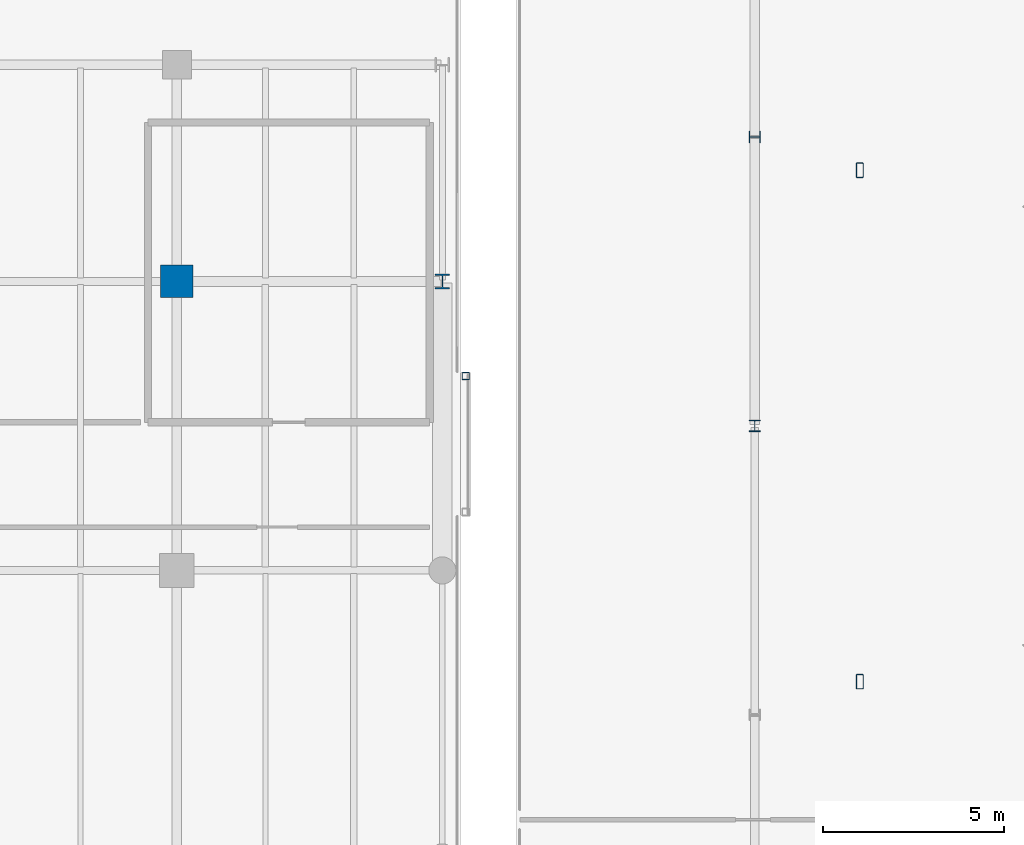
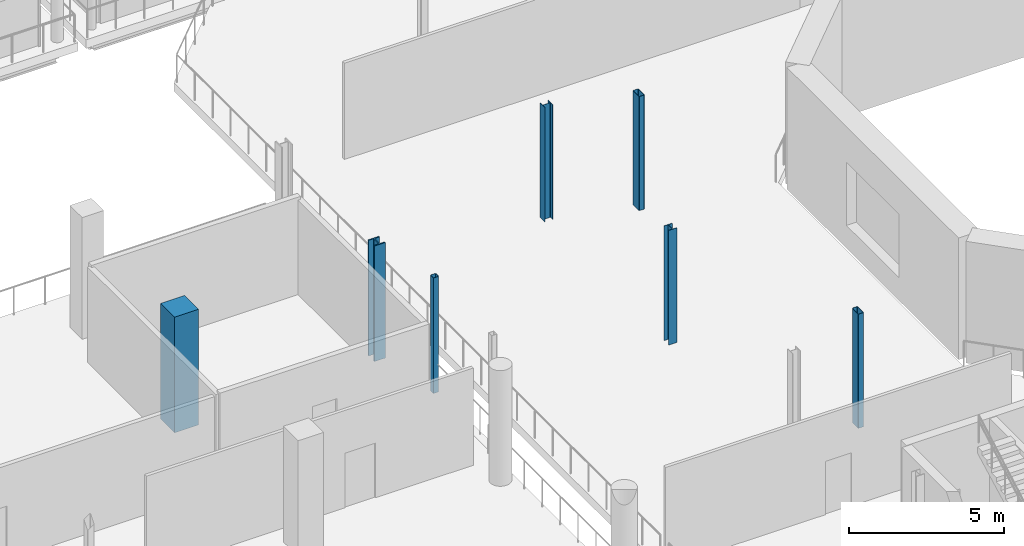
# One storey, part 9 of 93: 7 columns.
"""IFC4 building model written with IfcOpenShell, lengths in metres."""

from ifc_helpers import new_model, si_unit, direction, frame, origin, origin_2d, place, context, subcontext, project, spatial, rectangle, hollow_rectangle, i_section, extrude, material, material_profile, profile_set, type_object, element, save


model = new_model("IFC4")

# Units and contexts
model_context = context("Model", 3, precision=1e-05, world=origin(), true_north=direction((0.0, 1.0)))
body_context = subcontext(model_context, "Body", "Model", "MODEL_VIEW")
ifc_project = project(units=[si_unit("LENGTHUNIT", "METRE"), si_unit("AREAUNIT", "SQUARE_METRE"), si_unit("VOLUMEUNIT", "CUBIC_METRE"), si_unit("PLANEANGLEUNIT", "RADIAN"), si_unit("MASSUNIT", "GRAM", prefix="KILO")], contexts=[model_context])

# Site, building, storey
site_placement = place(None, origin())
site = spatial("IfcSite", under=ifc_project, at=site_placement, CompositionType="ELEMENT")
building_placement = place(site_placement, origin())
building = spatial("IfcBuilding", under=site, at=building_placement, Name="Brisemont Oceanarium", CompositionType="ELEMENT")
storey_placement = place(building_placement, frame((0.0, 0.0, 5.39990234375)))
storey = spatial("IfcBuildingStorey", under=building, at=storey_placement, Name="L01", CompositionType="ELEMENT", Elevation=5.39990234375)

# Columns
ifc_material_1 = material(Name="Structural Steel ASTM A500 Gr.C", Category="steel")
ifc_material_profile_1 = material_profile(ifc_material_1, hollow_rectangle(XDim=0.202880859375, YDim=0.406005859375, WallThickness=0.01171875, InnerFilletRadius=0.01220703125, OuterFilletRadius=0.02392578125, at=origin_2d()), Name="HSS16X8X1/2")
ifc_profile_set_1 = profile_set([ifc_material_profile_1], Name="Structural Steel ASTM A500 Gr.C")
column_type_1 = type_object("IfcColumnType", Name="COL-HSS16X8", PredefinedType="COLUMN", material=ifc_profile_set_1)
for number, where, z_axis, x_axis, name in (
    (1, (66.908203125, 63.07958984375, 0.0), (0.0, 0.0, 1.0), (1.0, 0.0, 0.0), "V1 dome drum pier L01.4"),
    (2, (66.908203125, 48.92041015625, 0.0), (0.0, 0.0, 1.0), (1.0, 0.0, 0.0), "V1 dome drum pier L01.5"),
):
    element("IfcColumn", number, at=place(storey_placement, frame(where, z_axis=z_axis, x_axis=x_axis)), inside=storey, type_object=column_type_1, Name=name, PredefinedType="COLUMN", context=body_context, shape_type="SweptSolid", body=[
        extrude(hollow_rectangle(XDim=0.202880859375, YDim=0.406005859375, WallThickness=0.01171875, InnerFilletRadius=0.01220703125, OuterFilletRadius=0.02392578125, at=origin_2d()), origin(), (0.0, 0.0, 1.0), 4.5),
    ])
ifc_material_2 = material(Name="Structural Steel ASTM A500 Gr.C", Category="steel")
ifc_material_profile_2 = material_profile(ifc_material_2, hollow_rectangle(XDim=0.202880859375, YDim=0.202880859375, WallThickness=0.0087890625, InnerFilletRadius=0.009033203125, OuterFilletRadius=0.01806640625, at=origin_2d()), Name="HSS8X8X3/8")
ifc_profile_set_2 = profile_set([ifc_material_profile_2], Name="Structural Steel ASTM A500 Gr.C")
column_type_2 = type_object("IfcColumnType", Name="COL-HSS8X8", PredefinedType="COLUMN", material=ifc_profile_set_2)
column_1_placement = place(storey_placement, frame((56.0, 57.3798828125, 0.0), z_axis=(0.0, 0.0, 1.0), x_axis=(1.0, 0.0, 0.0)))
element("IfcColumn", 3, at=column_1_placement, inside=storey, type_object=column_type_2, Name="Seismic bridge pier L01", PredefinedType="COLUMN", context=body_context, shape_type="SweptSolid", body=[
    extrude(hollow_rectangle(XDim=0.202880859375, YDim=0.202880859375, WallThickness=0.0087890625, InnerFilletRadius=0.009033203125, OuterFilletRadius=0.01806640625, at=origin_2d()), origin(), (0.0, 0.0, 1.0), 4.56005859375),
])
ifc_material_3 = material(Name="Concrete C40/50", Category="concrete")
ifc_material_profile_3 = material_profile(ifc_material_3, rectangle(XDim=0.89990234375, YDim=0.89990234375, at=origin_2d()), Name="RC-COL-900X900")
ifc_profile_set_3 = profile_set([ifc_material_profile_3], Name="Concrete C40/50")
column_type_3 = type_object("IfcColumnType", Name="COL-RC900", PredefinedType="COLUMN", material=ifc_profile_set_3)
column_2_placement = place(storey_placement, frame((48.0, 60.0, 0.0), z_axis=(0.0, 0.0, 1.0), x_axis=(0.0, 1.0, 0.0)))
element("IfcColumn", 4, at=column_2_placement, inside=storey, type_object=column_type_3, Name="V5W L01 column (4,3)", PredefinedType="COLUMN", context=body_context, shape_type="SweptSolid", body=[
    extrude(rectangle(XDim=0.89990234375, YDim=0.89990234375, at=origin_2d()), origin(), (0.0, 0.0, 1.0), 4.56005859375),
])
ifc_material_4 = material(Name="Structural Steel ASTM A992 Gr.50", Category="steel")
ifc_material_profile_4 = material_profile(ifc_material_4, i_section(OverallWidth=0.304931640625, OverallDepth=0.306884765625, WebThickness=0.010009765625, FlangeThickness=0.015380859375, FilletRadius=0.012939453125, at=origin_2d()), Name="W12X65")
ifc_profile_set_4 = profile_set([ifc_material_profile_4], Name="Structural Steel ASTM A992 Gr.50")
column_type_4 = type_object("IfcColumnType", Name="COL-W12X65", PredefinedType="COLUMN", material=ifc_profile_set_4)
column_3_placement = place(storey_placement, frame((64.0, 64.0, 0.0), z_axis=(0.0, 0.0, 1.0), x_axis=(0.0, 1.0, 0.0)))
element("IfcColumn", 5, at=column_3_placement, inside=storey, type_object=column_type_4, Name="V1 L01 column (1,4)", PredefinedType="COLUMN", context=body_context, shape_type="SweptSolid", body=[
    extrude(i_section(OverallWidth=0.304931640625, OverallDepth=0.306884765625, WebThickness=0.010009765625, FlangeThickness=0.015380859375, FilletRadius=0.012939453125, at=origin_2d()), origin(), (0.0, 0.0, 1.0), 4.52001953125),
])
ifc_material_5 = material(Name="Structural Steel ASTM A992 Gr.50", Category="steel")
ifc_material_profile_5 = material_profile(ifc_material_5, i_section(OverallWidth=0.305908203125, OverallDepth=0.31103515625, WebThickness=0.010986328125, FlangeThickness=0.01708984375, FilletRadius=0.012939453125, at=origin_2d()), Name="W12X72")
ifc_profile_set_5 = profile_set([ifc_material_profile_5], Name="Structural Steel ASTM A992 Gr.50")
column_type_5 = type_object("IfcColumnType", Name="COL-W12X72", PredefinedType="COLUMN", material=ifc_profile_set_5)
column_4_placement = place(storey_placement, frame((64.0, 56.0, 0.0), z_axis=(0.0, 0.0, 1.0), x_axis=(1.0, 0.0, 0.0)))
element("IfcColumn", 6, at=column_4_placement, inside=storey, type_object=column_type_5, Name="V1 L01 column (1,3)", PredefinedType="COLUMN", context=body_context, shape_type="SweptSolid", body=[
    extrude(i_section(OverallWidth=0.305908203125, OverallDepth=0.31103515625, WebThickness=0.010986328125, FlangeThickness=0.01708984375, FilletRadius=0.012939453125, at=origin_2d()), origin(), (0.0, 0.0, 1.0), 4.52001953125),
])
ifc_material_6 = material(Name="Structural Steel ASTM A992 Gr.50", Category="steel")
ifc_material_profile_6 = material_profile(ifc_material_6, i_section(OverallWidth=0.406005859375, OverallDepth=0.416015625, WebThickness=0.02978515625, FlangeThickness=0.048095703125, FilletRadius=0.014892578125, at=origin_2d()), Name="W14X257")
ifc_profile_set_6 = profile_set([ifc_material_profile_6], Name="Structural Steel ASTM A992 Gr.50")
column_type_6 = type_object("IfcColumnType", Name="COL-W14X257", PredefinedType="COLUMN", material=ifc_profile_set_6)
column_5_placement = place(storey_placement, frame((55.35009765625, 60.0, 0.0), z_axis=(0.0, 0.0, 1.0), x_axis=(1.0, 0.0, 0.0)))
element("IfcColumn", 7, at=column_5_placement, inside=storey, type_object=column_type_6, Name="V5W L01 column (5,3)", PredefinedType="COLUMN", context=body_context, shape_type="SweptSolid", body=[
    extrude(i_section(OverallWidth=0.406005859375, OverallDepth=0.416015625, WebThickness=0.02978515625, FlangeThickness=0.048095703125, FilletRadius=0.014892578125, at=origin_2d()), origin(), (0.0, 0.0, 1.0), 4.56005859375),
])

save(model, "model.ifc")
